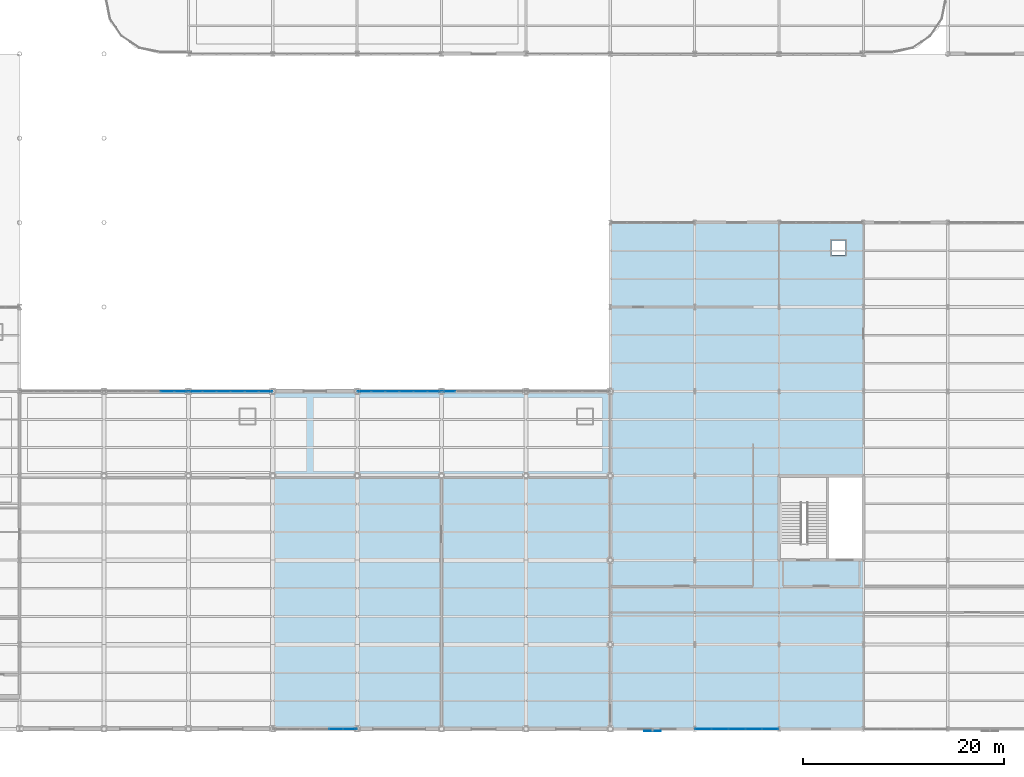
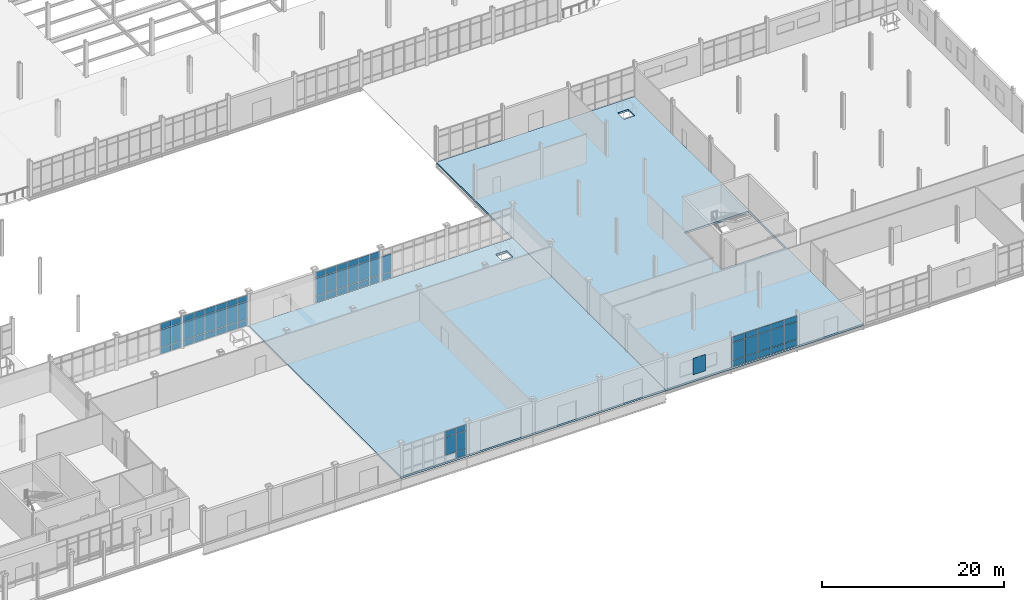
# One storey, part 112 of 145: 65 plates, 2 slabs, 6 elements without a shape of their own.
"""IFC4 building model written with IfcOpenShell, lengths in metres."""

from ifc_helpers import new_model, si_unit, direction, frame, origin, origin_2d, place, context, subcontext, project, spatial, polyline, rectangle, outline, extrude, material, layer, layer_set, type_object, element, aggregate, save


model = new_model("IFC4")

# Units and contexts
model_context = context("Model", 3, precision=1e-05, world=origin(), true_north=direction((0.0, 1.0)))
body_context = subcontext(model_context, "Body", "Model", "MODEL_VIEW")
ifc_project = project(units=[si_unit("LENGTHUNIT", "METRE"), si_unit("AREAUNIT", "SQUARE_METRE"), si_unit("VOLUMEUNIT", "CUBIC_METRE"), si_unit("PLANEANGLEUNIT", "RADIAN"), si_unit("MASSUNIT", "GRAM", prefix="KILO")], contexts=[model_context])

# Site, building, storey
site_placement = place(None, origin())
site = spatial("IfcSite", under=ifc_project, at=site_placement, CompositionType="ELEMENT")
building_placement = place(site_placement, origin())
building = spatial("IfcBuilding", under=site, at=building_placement, Name="Qalvenar Corner Mobility Hub", CompositionType="ELEMENT")
storey_placement = place(building_placement, origin())
storey = spatial("IfcBuildingStorey", under=building, at=storey_placement, Name="L00", CompositionType="ELEMENT", Elevation=0.0)

# Curtain wall, plates
ifc_material_1 = material(Name="Anodised Aluminium and Low-E Glazing", Category="aluminium")
ifc_layer_1 = layer(ifc_material_1, 0.179931640625)
ifc_layer_set_1 = layer_set([ifc_layer_1], Name="Anodised Aluminium and Low-E Glazing")
curtain_wall_type_1 = type_object("IfcCurtainWallType", Name="CW-CONC-84X48", PredefinedType="NOTDEFINED", material=ifc_layer_set_1)
curtain_wall_1_placement = place(storey_placement, origin())
curtain_wall_1 = element("IfcCurtainWall", 1, at=curtain_wall_1_placement, inside=storey, type_object=curtain_wall_type_1, Name="Glazed Curtain Wall CW-V1-L00-N1", PredefinedType="NOTDEFINED")
ifc_material_2 = material(Name="Solar-Control Low-E Double Glazing", Category="glass")
ifc_layer_2 = layer(ifc_material_2, 0.028076171875)
ifc_layer_set_2 = layer_set([ifc_layer_2], Name="Solar-Control Low-E Double Glazing")
plate_type_1 = type_object("IfcPlateType", Name="PLT-CWP-GLZ1", PredefinedType="CURTAIN_PANEL", material=ifc_layer_set_2)
plate_1_placement = place(storey_placement, frame((66.485107421875, 33.60009765625, 0.05517578125), z_axis=(0.0, 0.0, 1.0), x_axis=(-1.0, 0.0, 0.0)))
plate_1 = element("IfcPlate", 2, at=plate_1_placement, type_object=plate_type_1, Name="CW-01 panel 1.1", PredefinedType="CURTAIN_PANEL", context=body_context, shape_type="SweptSolid", body=[
    extrude(rectangle(XDim=1.31005859375, YDim=0.028076171875, at=origin_2d()), origin(), (0.0, 0.0, 1.0), 0.8173828125),
])
plate_2_placement = place(storey_placement, frame((66.485107421875, 33.60009765625, 0.927490234375), z_axis=(0.0, 0.0, 1.0), x_axis=(-1.0, 0.0, 0.0)))
plate_2 = element("IfcPlate", 3, at=plate_2_placement, type_object=plate_type_1, Name="CW-01 panel 1.2", PredefinedType="CURTAIN_PANEL", context=body_context, shape_type="SweptSolid", body=[
    extrude(rectangle(XDim=1.31005859375, YDim=0.028076171875, at=origin_2d()), origin(), (0.0, 0.0, 1.0), 2.39501953125),
])
plate_3_placement = place(storey_placement, frame((66.485107421875, 33.60009765625, 3.37744140625), z_axis=(0.0, 0.0, 1.0), x_axis=(-1.0, 0.0, 0.0)))
plate_3 = element("IfcPlate", 4, at=plate_3_placement, type_object=plate_type_1, Name="CW-01 panel 1.3", PredefinedType="CURTAIN_PANEL", context=body_context, shape_type="SweptSolid", body=[
    extrude(rectangle(XDim=1.31005859375, YDim=0.028076171875, at=origin_2d()), origin(), (0.0, 0.0, 1.0), 0.767578125),
])
plate_4_placement = place(storey_placement, frame((65.10009765625, 33.60009765625, 0.05517578125), z_axis=(0.0, 0.0, 1.0), x_axis=(-1.0, 0.0, 0.0)))
plate_4 = element("IfcPlate", 5, at=plate_4_placement, type_object=plate_type_1, Name="CW-01 panel 2.1", PredefinedType="CURTAIN_PANEL", context=body_context, shape_type="SweptSolid", body=[
    extrude(rectangle(XDim=1.340087890625, YDim=0.028076171875, at=origin_2d()), origin(), (0.0, 0.0, 1.0), 0.8173828125),
])
plate_5_placement = place(storey_placement, frame((65.10009765625, 33.60009765625, 0.927490234375), z_axis=(0.0, 0.0, 1.0), x_axis=(-1.0, 0.0, 0.0)))
plate_5 = element("IfcPlate", 6, at=plate_5_placement, type_object=plate_type_1, Name="CW-01 panel 2.2", PredefinedType="CURTAIN_PANEL", context=body_context, shape_type="SweptSolid", body=[
    extrude(rectangle(XDim=1.340087890625, YDim=0.028076171875, at=origin_2d()), origin(), (0.0, 0.0, 1.0), 2.39501953125),
])
plate_6_placement = place(storey_placement, frame((65.10009765625, 33.60009765625, 3.37744140625), z_axis=(0.0, 0.0, 1.0), x_axis=(-1.0, 0.0, 0.0)))
plate_6 = element("IfcPlate", 7, at=plate_6_placement, type_object=plate_type_1, Name="CW-01 panel 2.3", PredefinedType="CURTAIN_PANEL", context=body_context, shape_type="SweptSolid", body=[
    extrude(rectangle(XDim=1.340087890625, YDim=0.028076171875, at=origin_2d()), origin(), (0.0, 0.0, 1.0), 0.767578125),
])
aggregate(curtain_wall_1, [plate_1, plate_2, plate_3, plate_4, plate_5, plate_6])

curtain_wall_2_placement = place(storey_placement, origin())
curtain_wall_2 = element("IfcCurtainWall", 8, at=curtain_wall_2_placement, inside=storey, type_object=curtain_wall_type_1, Name="Glazed Curtain Wall CW-V1-L00-N2", PredefinedType="NOTDEFINED")
plate_7_placement = place(storey_placement, frame((74.885009765625, 33.60009765625, 0.05517578125), z_axis=(0.0, 0.0, 1.0), x_axis=(-1.0, 0.0, 0.0)))
plate_7 = element("IfcPlate", 9, at=plate_7_placement, type_object=plate_type_1, Name="CW-01 panel 1.1", PredefinedType="CURTAIN_PANEL", context=body_context, shape_type="SweptSolid", body=[
    extrude(rectangle(XDim=1.31005859375, YDim=0.028076171875, at=origin_2d()), origin(), (0.0, 0.0, 1.0), 0.8173828125),
])
plate_8_placement = place(storey_placement, frame((74.885009765625, 33.60009765625, 0.927490234375), z_axis=(0.0, 0.0, 1.0), x_axis=(-1.0, 0.0, 0.0)))
plate_8 = element("IfcPlate", 10, at=plate_8_placement, type_object=plate_type_1, Name="CW-01 panel 1.2", PredefinedType="CURTAIN_PANEL", context=body_context, shape_type="SweptSolid", body=[
    extrude(rectangle(XDim=1.31005859375, YDim=0.028076171875, at=origin_2d()), origin(), (0.0, 0.0, 1.0), 2.39501953125),
])
plate_9_placement = place(storey_placement, frame((74.885009765625, 33.60009765625, 3.37744140625), z_axis=(0.0, 0.0, 1.0), x_axis=(-1.0, 0.0, 0.0)))
plate_9 = element("IfcPlate", 11, at=plate_9_placement, type_object=plate_type_1, Name="CW-01 panel 1.3", PredefinedType="CURTAIN_PANEL", context=body_context, shape_type="SweptSolid", body=[
    extrude(rectangle(XDim=1.31005859375, YDim=0.028076171875, at=origin_2d()), origin(), (0.0, 0.0, 1.0), 0.767578125),
])
plate_10_placement = place(storey_placement, frame((73.5, 33.60009765625, 0.05517578125), z_axis=(0.0, 0.0, 1.0), x_axis=(-1.0, 0.0, 0.0)))
plate_10 = element("IfcPlate", 12, at=plate_10_placement, type_object=plate_type_1, Name="CW-01 panel 2.1", PredefinedType="CURTAIN_PANEL", context=body_context, shape_type="SweptSolid", body=[
    extrude(rectangle(XDim=1.340087890625, YDim=0.028076171875, at=origin_2d()), origin(), (0.0, 0.0, 1.0), 0.8173828125),
])
plate_11_placement = place(storey_placement, frame((73.5, 33.60009765625, 0.927490234375), z_axis=(0.0, 0.0, 1.0), x_axis=(-1.0, 0.0, 0.0)))
plate_11 = element("IfcPlate", 13, at=plate_11_placement, type_object=plate_type_1, Name="CW-01 panel 2.2", PredefinedType="CURTAIN_PANEL", context=body_context, shape_type="SweptSolid", body=[
    extrude(rectangle(XDim=1.340087890625, YDim=0.028076171875, at=origin_2d()), origin(), (0.0, 0.0, 1.0), 2.39501953125),
])
plate_12_placement = place(storey_placement, frame((73.5, 33.60009765625, 3.37744140625), z_axis=(0.0, 0.0, 1.0), x_axis=(-1.0, 0.0, 0.0)))
plate_12 = element("IfcPlate", 14, at=plate_12_placement, type_object=plate_type_1, Name="CW-01 panel 2.3", PredefinedType="CURTAIN_PANEL", context=body_context, shape_type="SweptSolid", body=[
    extrude(rectangle(XDim=1.340087890625, YDim=0.028076171875, at=origin_2d()), origin(), (0.0, 0.0, 1.0), 0.767578125),
])
plate_13_placement = place(storey_placement, frame((72.10009765625, 33.60009765625, 0.05517578125), z_axis=(0.0, 0.0, 1.0), x_axis=(-1.0, 0.0, 0.0)))
plate_13 = element("IfcPlate", 15, at=plate_13_placement, type_object=plate_type_1, Name="CW-01 panel 3.1", PredefinedType="CURTAIN_PANEL", context=body_context, shape_type="SweptSolid", body=[
    extrude(rectangle(XDim=1.340087890625, YDim=0.028076171875, at=origin_2d()), origin(), (0.0, 0.0, 1.0), 0.8173828125),
])
plate_14_placement = place(storey_placement, frame((72.10009765625, 33.60009765625, 0.927490234375), z_axis=(0.0, 0.0, 1.0), x_axis=(-1.0, 0.0, 0.0)))
plate_14 = element("IfcPlate", 16, at=plate_14_placement, type_object=plate_type_1, Name="CW-01 panel 3.2", PredefinedType="CURTAIN_PANEL", context=body_context, shape_type="SweptSolid", body=[
    extrude(rectangle(XDim=1.340087890625, YDim=0.028076171875, at=origin_2d()), origin(), (0.0, 0.0, 1.0), 2.39501953125),
])
plate_15_placement = place(storey_placement, frame((72.10009765625, 33.60009765625, 3.37744140625), z_axis=(0.0, 0.0, 1.0), x_axis=(-1.0, 0.0, 0.0)))
plate_15 = element("IfcPlate", 17, at=plate_15_placement, type_object=plate_type_1, Name="CW-01 panel 3.3", PredefinedType="CURTAIN_PANEL", context=body_context, shape_type="SweptSolid", body=[
    extrude(rectangle(XDim=1.340087890625, YDim=0.028076171875, at=origin_2d()), origin(), (0.0, 0.0, 1.0), 0.767578125),
])
plate_16_placement = place(storey_placement, frame((70.699951171875, 33.60009765625, 0.05517578125), z_axis=(0.0, 0.0, 1.0), x_axis=(-1.0, 0.0, 0.0)))
plate_16 = element("IfcPlate", 18, at=plate_16_placement, type_object=plate_type_1, Name="CW-01 panel 4.1", PredefinedType="CURTAIN_PANEL", context=body_context, shape_type="SweptSolid", body=[
    extrude(rectangle(XDim=1.340087890625, YDim=0.028076171875, at=origin_2d()), origin(), (0.0, 0.0, 1.0), 0.8173828125),
])
plate_17_placement = place(storey_placement, frame((70.699951171875, 33.60009765625, 0.927490234375), z_axis=(0.0, 0.0, 1.0), x_axis=(-1.0, 0.0, 0.0)))
plate_17 = element("IfcPlate", 19, at=plate_17_placement, type_object=plate_type_1, Name="CW-01 panel 4.2", PredefinedType="CURTAIN_PANEL", context=body_context, shape_type="SweptSolid", body=[
    extrude(rectangle(XDim=1.340087890625, YDim=0.028076171875, at=origin_2d()), origin(), (0.0, 0.0, 1.0), 2.39501953125),
])
plate_18_placement = place(storey_placement, frame((70.699951171875, 33.60009765625, 3.37744140625), z_axis=(0.0, 0.0, 1.0), x_axis=(-1.0, 0.0, 0.0)))
plate_18 = element("IfcPlate", 20, at=plate_18_placement, type_object=plate_type_1, Name="CW-01 panel 4.3", PredefinedType="CURTAIN_PANEL", context=body_context, shape_type="SweptSolid", body=[
    extrude(rectangle(XDim=1.340087890625, YDim=0.028076171875, at=origin_2d()), origin(), (0.0, 0.0, 1.0), 0.767578125),
])
plate_19_placement = place(storey_placement, frame((69.300048828125, 33.60009765625, 0.05517578125), z_axis=(0.0, 0.0, 1.0), x_axis=(-1.0, 0.0, 0.0)))
plate_19 = element("IfcPlate", 21, at=plate_19_placement, type_object=plate_type_1, Name="CW-01 panel 5.1", PredefinedType="CURTAIN_PANEL", context=body_context, shape_type="SweptSolid", body=[
    extrude(rectangle(XDim=1.340087890625, YDim=0.028076171875, at=origin_2d()), origin(), (0.0, 0.0, 1.0), 0.8173828125),
])
plate_20_placement = place(storey_placement, frame((69.300048828125, 33.60009765625, 0.927490234375), z_axis=(0.0, 0.0, 1.0), x_axis=(-1.0, 0.0, 0.0)))
plate_20 = element("IfcPlate", 22, at=plate_20_placement, type_object=plate_type_1, Name="CW-01 panel 5.2", PredefinedType="CURTAIN_PANEL", context=body_context, shape_type="SweptSolid", body=[
    extrude(rectangle(XDim=1.340087890625, YDim=0.028076171875, at=origin_2d()), origin(), (0.0, 0.0, 1.0), 2.39501953125),
])
plate_21_placement = place(storey_placement, frame((69.300048828125, 33.60009765625, 3.37744140625), z_axis=(0.0, 0.0, 1.0), x_axis=(-1.0, 0.0, 0.0)))
plate_21 = element("IfcPlate", 23, at=plate_21_placement, type_object=plate_type_1, Name="CW-01 panel 5.3", PredefinedType="CURTAIN_PANEL", context=body_context, shape_type="SweptSolid", body=[
    extrude(rectangle(XDim=1.340087890625, YDim=0.028076171875, at=origin_2d()), origin(), (0.0, 0.0, 1.0), 0.767578125),
])
plate_22_placement = place(storey_placement, frame((67.9150390625, 33.60009765625, 0.05517578125), z_axis=(0.0, 0.0, 1.0), x_axis=(-1.0, 0.0, 0.0)))
plate_22 = element("IfcPlate", 24, at=plate_22_placement, type_object=plate_type_1, Name="CW-01 panel 6.1", PredefinedType="CURTAIN_PANEL", context=body_context, shape_type="SweptSolid", body=[
    extrude(rectangle(XDim=1.31005859375, YDim=0.028076171875, at=origin_2d()), origin(), (0.0, 0.0, 1.0), 0.8173828125),
])
plate_23_placement = place(storey_placement, frame((67.9150390625, 33.60009765625, 0.927490234375), z_axis=(0.0, 0.0, 1.0), x_axis=(-1.0, 0.0, 0.0)))
plate_23 = element("IfcPlate", 25, at=plate_23_placement, type_object=plate_type_1, Name="CW-01 panel 6.2", PredefinedType="CURTAIN_PANEL", context=body_context, shape_type="SweptSolid", body=[
    extrude(rectangle(XDim=1.31005859375, YDim=0.028076171875, at=origin_2d()), origin(), (0.0, 0.0, 1.0), 2.39501953125),
])
plate_24_placement = place(storey_placement, frame((67.9150390625, 33.60009765625, 3.37744140625), z_axis=(0.0, 0.0, 1.0), x_axis=(-1.0, 0.0, 0.0)))
plate_24 = element("IfcPlate", 26, at=plate_24_placement, type_object=plate_type_1, Name="CW-01 panel 6.3", PredefinedType="CURTAIN_PANEL", context=body_context, shape_type="SweptSolid", body=[
    extrude(rectangle(XDim=1.31005859375, YDim=0.028076171875, at=origin_2d()), origin(), (0.0, 0.0, 1.0), 0.767578125),
])
aggregate(curtain_wall_2, [plate_7, plate_8, plate_9, plate_10, plate_11, plate_12, plate_13, plate_14, plate_15, plate_16, plate_17, plate_18, plate_19, plate_20, plate_21, plate_22, plate_23, plate_24])

curtain_wall_3_placement = place(storey_placement, origin())
curtain_wall_3 = element("IfcCurtainWall", 27, at=curtain_wall_3_placement, inside=storey, type_object=curtain_wall_type_1, Name="Glazed Curtain Wall CW-V1-L00-S3", PredefinedType="NOTDEFINED")
plate_25_placement = place(storey_placement, frame((81.89990234375, 0.0, 0.927490234375), z_axis=(0.0, 0.0, 1.0), x_axis=(1.0, 0.0, 0.0)))
plate_25 = element("IfcPlate", 28, at=plate_25_placement, type_object=plate_type_1, Name="CW-01 panel 5.2", PredefinedType="CURTAIN_PANEL", context=body_context, shape_type="SweptSolid", body=[
    extrude(rectangle(XDim=1.340087890625, YDim=0.028076171875, at=origin_2d()), origin(), (0.0, 0.0, 1.0), 2.39501953125),
])
plate_26_placement = place(storey_placement, frame((81.89990234375, 0.0, 3.37744140625), z_axis=(0.0, 0.0, 1.0), x_axis=(1.0, 0.0, 0.0)))
plate_26 = element("IfcPlate", 29, at=plate_26_placement, type_object=plate_type_1, Name="CW-01 panel 5.3", PredefinedType="CURTAIN_PANEL", context=body_context, shape_type="SweptSolid", body=[
    extrude(rectangle(XDim=1.340087890625, YDim=0.028076171875, at=origin_2d()), origin(), (0.0, 0.0, 1.0), 0.767578125),
])
plate_27_placement = place(storey_placement, frame((83.284912109375, 0.0, 0.05517578125), z_axis=(0.0, 0.0, 1.0), x_axis=(1.0, 0.0, 0.0)))
plate_27 = element("IfcPlate", 30, at=plate_27_placement, type_object=plate_type_1, Name="CW-01 panel 6.1", PredefinedType="CURTAIN_PANEL", context=body_context, shape_type="SweptSolid", body=[
    extrude(rectangle(XDim=1.31005859375, YDim=0.028076171875, at=origin_2d()), origin(), (0.0, 0.0, 1.0), 0.8173828125),
])
plate_28_placement = place(storey_placement, frame((83.284912109375, 0.0, 0.927490234375), z_axis=(0.0, 0.0, 1.0), x_axis=(1.0, 0.0, 0.0)))
plate_28 = element("IfcPlate", 31, at=plate_28_placement, type_object=plate_type_1, Name="CW-01 panel 6.2", PredefinedType="CURTAIN_PANEL", context=body_context, shape_type="SweptSolid", body=[
    extrude(rectangle(XDim=1.31005859375, YDim=0.028076171875, at=origin_2d()), origin(), (0.0, 0.0, 1.0), 2.39501953125),
])
plate_29_placement = place(storey_placement, frame((83.284912109375, 0.0, 3.37744140625), z_axis=(0.0, 0.0, 1.0), x_axis=(1.0, 0.0, 0.0)))
plate_29 = element("IfcPlate", 32, at=plate_29_placement, type_object=plate_type_1, Name="CW-01 panel 6.3", PredefinedType="CURTAIN_PANEL", context=body_context, shape_type="SweptSolid", body=[
    extrude(rectangle(XDim=1.31005859375, YDim=0.028076171875, at=origin_2d()), origin(), (0.0, 0.0, 1.0), 0.767578125),
])
aggregate(curtain_wall_3, [plate_25, plate_26, plate_27, plate_28, plate_29])

curtain_wall_4_placement = place(storey_placement, origin())
curtain_wall_4 = element("IfcCurtainWall", 33, at=curtain_wall_4_placement, inside=storey, type_object=curtain_wall_type_1, Name="Glazed Curtain Wall CW-V1-L00-N4", PredefinedType="NOTDEFINED")
plate_30_placement = place(storey_placement, frame((91.68505859375, 33.60009765625, 0.05517578125), z_axis=(0.0, 0.0, 1.0), x_axis=(-1.0, 0.0, 0.0)))
plate_30 = element("IfcPlate", 34, at=plate_30_placement, type_object=plate_type_1, Name="CW-01 panel 1.1", PredefinedType="CURTAIN_PANEL", context=body_context, shape_type="SweptSolid", body=[
    extrude(rectangle(XDim=1.31005859375, YDim=0.028076171875, at=origin_2d()), origin(), (0.0, 0.0, 1.0), 0.8173828125),
])
plate_31_placement = place(storey_placement, frame((91.68505859375, 33.60009765625, 0.927490234375), z_axis=(0.0, 0.0, 1.0), x_axis=(-1.0, 0.0, 0.0)))
plate_31 = element("IfcPlate", 35, at=plate_31_placement, type_object=plate_type_1, Name="CW-01 panel 1.2", PredefinedType="CURTAIN_PANEL", context=body_context, shape_type="SweptSolid", body=[
    extrude(rectangle(XDim=1.31005859375, YDim=0.028076171875, at=origin_2d()), origin(), (0.0, 0.0, 1.0), 2.39501953125),
])
plate_32_placement = place(storey_placement, frame((91.68505859375, 33.60009765625, 3.37744140625), z_axis=(0.0, 0.0, 1.0), x_axis=(-1.0, 0.0, 0.0)))
plate_32 = element("IfcPlate", 36, at=plate_32_placement, type_object=plate_type_1, Name="CW-01 panel 1.3", PredefinedType="CURTAIN_PANEL", context=body_context, shape_type="SweptSolid", body=[
    extrude(rectangle(XDim=1.31005859375, YDim=0.028076171875, at=origin_2d()), origin(), (0.0, 0.0, 1.0), 0.767578125),
])
plate_33_placement = place(storey_placement, frame((90.300048828125, 33.60009765625, 0.05517578125), z_axis=(0.0, 0.0, 1.0), x_axis=(-1.0, 0.0, 0.0)))
plate_33 = element("IfcPlate", 37, at=plate_33_placement, type_object=plate_type_1, Name="CW-01 panel 2.1", PredefinedType="CURTAIN_PANEL", context=body_context, shape_type="SweptSolid", body=[
    extrude(rectangle(XDim=1.340087890625, YDim=0.028076171875, at=origin_2d()), origin(), (0.0, 0.0, 1.0), 0.8173828125),
])
plate_34_placement = place(storey_placement, frame((90.300048828125, 33.60009765625, 0.927490234375), z_axis=(0.0, 0.0, 1.0), x_axis=(-1.0, 0.0, 0.0)))
plate_34 = element("IfcPlate", 38, at=plate_34_placement, type_object=plate_type_1, Name="CW-01 panel 2.2", PredefinedType="CURTAIN_PANEL", context=body_context, shape_type="SweptSolid", body=[
    extrude(rectangle(XDim=1.340087890625, YDim=0.028076171875, at=origin_2d()), origin(), (0.0, 0.0, 1.0), 2.39501953125),
])
plate_35_placement = place(storey_placement, frame((90.300048828125, 33.60009765625, 3.37744140625), z_axis=(0.0, 0.0, 1.0), x_axis=(-1.0, 0.0, 0.0)))
plate_35 = element("IfcPlate", 39, at=plate_35_placement, type_object=plate_type_1, Name="CW-01 panel 2.3", PredefinedType="CURTAIN_PANEL", context=body_context, shape_type="SweptSolid", body=[
    extrude(rectangle(XDim=1.340087890625, YDim=0.028076171875, at=origin_2d()), origin(), (0.0, 0.0, 1.0), 0.767578125),
])
plate_36_placement = place(storey_placement, frame((88.89990234375, 33.60009765625, 0.05517578125), z_axis=(0.0, 0.0, 1.0), x_axis=(-1.0, 0.0, 0.0)))
plate_36 = element("IfcPlate", 40, at=plate_36_placement, type_object=plate_type_1, Name="CW-01 panel 3.1", PredefinedType="CURTAIN_PANEL", context=body_context, shape_type="SweptSolid", body=[
    extrude(rectangle(XDim=1.340087890625, YDim=0.028076171875, at=origin_2d()), origin(), (0.0, 0.0, 1.0), 0.8173828125),
])
plate_37_placement = place(storey_placement, frame((88.89990234375, 33.60009765625, 0.927490234375), z_axis=(0.0, 0.0, 1.0), x_axis=(-1.0, 0.0, 0.0)))
plate_37 = element("IfcPlate", 41, at=plate_37_placement, type_object=plate_type_1, Name="CW-01 panel 3.2", PredefinedType="CURTAIN_PANEL", context=body_context, shape_type="SweptSolid", body=[
    extrude(rectangle(XDim=1.340087890625, YDim=0.028076171875, at=origin_2d()), origin(), (0.0, 0.0, 1.0), 2.39501953125),
])
plate_38_placement = place(storey_placement, frame((88.89990234375, 33.60009765625, 3.37744140625), z_axis=(0.0, 0.0, 1.0), x_axis=(-1.0, 0.0, 0.0)))
plate_38 = element("IfcPlate", 42, at=plate_38_placement, type_object=plate_type_1, Name="CW-01 panel 3.3", PredefinedType="CURTAIN_PANEL", context=body_context, shape_type="SweptSolid", body=[
    extrude(rectangle(XDim=1.340087890625, YDim=0.028076171875, at=origin_2d()), origin(), (0.0, 0.0, 1.0), 0.767578125),
])
plate_39_placement = place(storey_placement, frame((87.5, 33.60009765625, 0.05517578125), z_axis=(0.0, 0.0, 1.0), x_axis=(-1.0, 0.0, 0.0)))
plate_39 = element("IfcPlate", 43, at=plate_39_placement, type_object=plate_type_1, Name="CW-01 panel 4.1", PredefinedType="CURTAIN_PANEL", context=body_context, shape_type="SweptSolid", body=[
    extrude(rectangle(XDim=1.340087890625, YDim=0.028076171875, at=origin_2d()), origin(), (0.0, 0.0, 1.0), 0.8173828125),
])
plate_40_placement = place(storey_placement, frame((87.5, 33.60009765625, 0.927490234375), z_axis=(0.0, 0.0, 1.0), x_axis=(-1.0, 0.0, 0.0)))
plate_40 = element("IfcPlate", 44, at=plate_40_placement, type_object=plate_type_1, Name="CW-01 panel 4.2", PredefinedType="CURTAIN_PANEL", context=body_context, shape_type="SweptSolid", body=[
    extrude(rectangle(XDim=1.340087890625, YDim=0.028076171875, at=origin_2d()), origin(), (0.0, 0.0, 1.0), 2.39501953125),
])
plate_41_placement = place(storey_placement, frame((87.5, 33.60009765625, 3.37744140625), z_axis=(0.0, 0.0, 1.0), x_axis=(-1.0, 0.0, 0.0)))
plate_41 = element("IfcPlate", 45, at=plate_41_placement, type_object=plate_type_1, Name="CW-01 panel 4.3", PredefinedType="CURTAIN_PANEL", context=body_context, shape_type="SweptSolid", body=[
    extrude(rectangle(XDim=1.340087890625, YDim=0.028076171875, at=origin_2d()), origin(), (0.0, 0.0, 1.0), 0.767578125),
])
plate_42_placement = place(storey_placement, frame((86.10009765625, 33.60009765625, 0.05517578125), z_axis=(0.0, 0.0, 1.0), x_axis=(-1.0, 0.0, 0.0)))
plate_42 = element("IfcPlate", 46, at=plate_42_placement, type_object=plate_type_1, Name="CW-01 panel 5.1", PredefinedType="CURTAIN_PANEL", context=body_context, shape_type="SweptSolid", body=[
    extrude(rectangle(XDim=1.340087890625, YDim=0.028076171875, at=origin_2d()), origin(), (0.0, 0.0, 1.0), 0.8173828125),
])
plate_43_placement = place(storey_placement, frame((86.10009765625, 33.60009765625, 0.927490234375), z_axis=(0.0, 0.0, 1.0), x_axis=(-1.0, 0.0, 0.0)))
plate_43 = element("IfcPlate", 47, at=plate_43_placement, type_object=plate_type_1, Name="CW-01 panel 5.2", PredefinedType="CURTAIN_PANEL", context=body_context, shape_type="SweptSolid", body=[
    extrude(rectangle(XDim=1.340087890625, YDim=0.028076171875, at=origin_2d()), origin(), (0.0, 0.0, 1.0), 2.39501953125),
])
plate_44_placement = place(storey_placement, frame((86.10009765625, 33.60009765625, 3.37744140625), z_axis=(0.0, 0.0, 1.0), x_axis=(-1.0, 0.0, 0.0)))
plate_44 = element("IfcPlate", 48, at=plate_44_placement, type_object=plate_type_1, Name="CW-01 panel 5.3", PredefinedType="CURTAIN_PANEL", context=body_context, shape_type="SweptSolid", body=[
    extrude(rectangle(XDim=1.340087890625, YDim=0.028076171875, at=origin_2d()), origin(), (0.0, 0.0, 1.0), 0.767578125),
])
plate_45_placement = place(storey_placement, frame((84.715087890625, 33.60009765625, 0.05517578125), z_axis=(0.0, 0.0, 1.0), x_axis=(-1.0, 0.0, 0.0)))
plate_45 = element("IfcPlate", 49, at=plate_45_placement, type_object=plate_type_1, Name="CW-01 panel 6.1", PredefinedType="CURTAIN_PANEL", context=body_context, shape_type="SweptSolid", body=[
    extrude(rectangle(XDim=1.31005859375, YDim=0.028076171875, at=origin_2d()), origin(), (0.0, 0.0, 1.0), 0.8173828125),
])
plate_46_placement = place(storey_placement, frame((84.715087890625, 33.60009765625, 0.927490234375), z_axis=(0.0, 0.0, 1.0), x_axis=(-1.0, 0.0, 0.0)))
plate_46 = element("IfcPlate", 50, at=plate_46_placement, type_object=plate_type_1, Name="CW-01 panel 6.2", PredefinedType="CURTAIN_PANEL", context=body_context, shape_type="SweptSolid", body=[
    extrude(rectangle(XDim=1.31005859375, YDim=0.028076171875, at=origin_2d()), origin(), (0.0, 0.0, 1.0), 2.39501953125),
])
plate_47_placement = place(storey_placement, frame((84.715087890625, 33.60009765625, 3.37744140625), z_axis=(0.0, 0.0, 1.0), x_axis=(-1.0, 0.0, 0.0)))
plate_47 = element("IfcPlate", 51, at=plate_47_placement, type_object=plate_type_1, Name="CW-01 panel 6.3", PredefinedType="CURTAIN_PANEL", context=body_context, shape_type="SweptSolid", body=[
    extrude(rectangle(XDim=1.31005859375, YDim=0.028076171875, at=origin_2d()), origin(), (0.0, 0.0, 1.0), 0.767578125),
])
aggregate(curtain_wall_4, [plate_30, plate_31, plate_32, plate_33, plate_34, plate_35, plate_36, plate_37, plate_38, plate_39, plate_40, plate_41, plate_42, plate_43, plate_44, plate_45, plate_46, plate_47])

curtain_wall_5_placement = place(storey_placement, origin())
curtain_wall_5 = element("IfcCurtainWall", 52, at=curtain_wall_5_placement, inside=storey, type_object=curtain_wall_type_1, Name="Glazed Curtain Wall CW-V1-L00-N5", PredefinedType="NOTDEFINED")
plate_48_placement = place(storey_placement, frame((93.114990234375, 33.60009765625, 0.05517578125), z_axis=(0.0, 0.0, 1.0), x_axis=(-1.0, 0.0, 0.0)))
plate_48 = element("IfcPlate", 53, at=plate_48_placement, type_object=plate_type_1, Name="CW-01 panel 6.1", PredefinedType="CURTAIN_PANEL", context=body_context, shape_type="SweptSolid", body=[
    extrude(rectangle(XDim=1.31005859375, YDim=0.028076171875, at=origin_2d()), origin(), (0.0, 0.0, 1.0), 0.8173828125),
])
plate_49_placement = place(storey_placement, frame((93.114990234375, 33.60009765625, 0.927490234375), z_axis=(0.0, 0.0, 1.0), x_axis=(-1.0, 0.0, 0.0)))
plate_49 = element("IfcPlate", 54, at=plate_49_placement, type_object=plate_type_1, Name="CW-01 panel 6.2", PredefinedType="CURTAIN_PANEL", context=body_context, shape_type="SweptSolid", body=[
    extrude(rectangle(XDim=1.31005859375, YDim=0.028076171875, at=origin_2d()), origin(), (0.0, 0.0, 1.0), 2.39501953125),
])
aggregate(curtain_wall_5, [plate_48, plate_49])

ifc_layer_3 = layer(ifc_material_1, 0.14990234375)
ifc_layer_set_3 = layer_set([ifc_layer_3], Name="Anodised Aluminium and Low-E Glazing")
curtain_wall_type_2 = type_object("IfcCurtainWallType", Name="CW-WKS-84X44", PredefinedType="NOTDEFINED", material=ifc_layer_set_3)
curtain_wall_6_placement = place(storey_placement, origin())
curtain_wall_6 = element("IfcCurtainWall", 55, at=curtain_wall_6_placement, inside=storey, type_object=curtain_wall_type_2, Name="Glazed Curtain Wall CW-V6-L00-S1", PredefinedType="NOTDEFINED")
plate_50_placement = place(storey_placement, frame((118.455078125, 0.0, 0.05517578125), z_axis=(0.0, 0.0, 1.0), x_axis=(1.0, 0.0, 0.0)))
plate_50 = element("IfcPlate", 56, at=plate_50_placement, type_object=plate_type_1, Name="CW-09 panel 1.1", PredefinedType="CURTAIN_PANEL", context=body_context, shape_type="SweptSolid", body=[
    extrude(rectangle(XDim=1.590087890625, YDim=0.028076171875, at=origin_2d()), origin(), (0.0, 0.0, 1.0), 0.8173828125),
])
plate_51_placement = place(storey_placement, frame((118.455078125, 0.0, 0.927734375), z_axis=(0.0, 0.0, 1.0), x_axis=(1.0, 0.0, 0.0)))
plate_51 = element("IfcPlate", 57, at=plate_51_placement, type_object=plate_type_1, Name="CW-09 panel 1.2", PredefinedType="CURTAIN_PANEL", context=body_context, shape_type="SweptSolid", body=[
    extrude(rectangle(XDim=1.590087890625, YDim=0.028076171875, at=origin_2d()), origin(), (0.0, 0.0, 1.0), 2.324951171875),
])
plate_52_placement = place(storey_placement, frame((118.455078125, 0.0, 3.307373046875), z_axis=(0.0, 0.0, 1.0), x_axis=(1.0, 0.0, 0.0)))
plate_52 = element("IfcPlate", 58, at=plate_52_placement, type_object=plate_type_1, Name="CW-09 panel 1.3", PredefinedType="CURTAIN_PANEL", context=body_context, shape_type="SweptSolid", body=[
    extrude(rectangle(XDim=1.590087890625, YDim=0.028076171875, at=origin_2d()), origin(), (0.0, 0.0, 1.0), 0.767578125),
])
plate_53_placement = place(storey_placement, frame((120.1201171875, 0.0, 0.05517578125), z_axis=(0.0, 0.0, 1.0), x_axis=(1.0, 0.0, 0.0)))
plate_53 = element("IfcPlate", 59, at=plate_53_placement, type_object=plate_type_1, Name="CW-09 panel 2.1", PredefinedType="CURTAIN_PANEL", context=body_context, shape_type="SweptSolid", body=[
    extrude(rectangle(XDim=1.6201171875, YDim=0.028076171875, at=origin_2d()), origin(), (0.0, 0.0, 1.0), 0.8173828125),
])
plate_54_placement = place(storey_placement, frame((120.1201171875, 0.0, 0.927734375), z_axis=(0.0, 0.0, 1.0), x_axis=(1.0, 0.0, 0.0)))
plate_54 = element("IfcPlate", 60, at=plate_54_placement, type_object=plate_type_1, Name="CW-09 panel 2.2", PredefinedType="CURTAIN_PANEL", context=body_context, shape_type="SweptSolid", body=[
    extrude(rectangle(XDim=1.6201171875, YDim=0.028076171875, at=origin_2d()), origin(), (0.0, 0.0, 1.0), 2.324951171875),
])
plate_55_placement = place(storey_placement, frame((120.1201171875, 0.0, 3.307373046875), z_axis=(0.0, 0.0, 1.0), x_axis=(1.0, 0.0, 0.0)))
plate_55 = element("IfcPlate", 61, at=plate_55_placement, type_object=plate_type_1, Name="CW-09 panel 2.3", PredefinedType="CURTAIN_PANEL", context=body_context, shape_type="SweptSolid", body=[
    extrude(rectangle(XDim=1.6201171875, YDim=0.028076171875, at=origin_2d()), origin(), (0.0, 0.0, 1.0), 0.767578125),
])
plate_56_placement = place(storey_placement, frame((121.800048828125, 0.0, 0.05517578125), z_axis=(0.0, 0.0, 1.0), x_axis=(1.0, 0.0, 0.0)))
plate_56 = element("IfcPlate", 62, at=plate_56_placement, type_object=plate_type_1, Name="CW-09 panel 3.1", PredefinedType="CURTAIN_PANEL", context=body_context, shape_type="SweptSolid", body=[
    extrude(rectangle(XDim=1.6201171875, YDim=0.028076171875, at=origin_2d()), origin(), (0.0, 0.0, 1.0), 0.8173828125),
])
plate_57_placement = place(storey_placement, frame((121.800048828125, 0.0, 0.927734375), z_axis=(0.0, 0.0, 1.0), x_axis=(1.0, 0.0, 0.0)))
plate_57 = element("IfcPlate", 63, at=plate_57_placement, type_object=plate_type_1, Name="CW-09 panel 3.2", PredefinedType="CURTAIN_PANEL", context=body_context, shape_type="SweptSolid", body=[
    extrude(rectangle(XDim=1.6201171875, YDim=0.028076171875, at=origin_2d()), origin(), (0.0, 0.0, 1.0), 2.324951171875),
])
plate_58_placement = place(storey_placement, frame((121.800048828125, 0.0, 3.307373046875), z_axis=(0.0, 0.0, 1.0), x_axis=(1.0, 0.0, 0.0)))
plate_58 = element("IfcPlate", 64, at=plate_58_placement, type_object=plate_type_1, Name="CW-09 panel 3.3", PredefinedType="CURTAIN_PANEL", context=body_context, shape_type="SweptSolid", body=[
    extrude(rectangle(XDim=1.6201171875, YDim=0.028076171875, at=origin_2d()), origin(), (0.0, 0.0, 1.0), 0.767578125),
])
plate_59_placement = place(storey_placement, frame((123.47998046875, 0.0, 0.05517578125), z_axis=(0.0, 0.0, 1.0), x_axis=(1.0, 0.0, 0.0)))
plate_59 = element("IfcPlate", 65, at=plate_59_placement, type_object=plate_type_1, Name="CW-09 panel 4.1", PredefinedType="CURTAIN_PANEL", context=body_context, shape_type="SweptSolid", body=[
    extrude(rectangle(XDim=1.6201171875, YDim=0.028076171875, at=origin_2d()), origin(), (0.0, 0.0, 1.0), 0.8173828125),
])
plate_60_placement = place(storey_placement, frame((123.47998046875, 0.0, 0.927734375), z_axis=(0.0, 0.0, 1.0), x_axis=(1.0, 0.0, 0.0)))
plate_60 = element("IfcPlate", 66, at=plate_60_placement, type_object=plate_type_1, Name="CW-09 panel 4.2", PredefinedType="CURTAIN_PANEL", context=body_context, shape_type="SweptSolid", body=[
    extrude(rectangle(XDim=1.6201171875, YDim=0.028076171875, at=origin_2d()), origin(), (0.0, 0.0, 1.0), 2.324951171875),
])
plate_61_placement = place(storey_placement, frame((123.47998046875, 0.0, 3.307373046875), z_axis=(0.0, 0.0, 1.0), x_axis=(1.0, 0.0, 0.0)))
plate_61 = element("IfcPlate", 67, at=plate_61_placement, type_object=plate_type_1, Name="CW-09 panel 4.3", PredefinedType="CURTAIN_PANEL", context=body_context, shape_type="SweptSolid", body=[
    extrude(rectangle(XDim=1.6201171875, YDim=0.028076171875, at=origin_2d()), origin(), (0.0, 0.0, 1.0), 0.767578125),
])
plate_62_placement = place(storey_placement, frame((125.14501953125, 0.0, 0.05517578125), z_axis=(0.0, 0.0, 1.0), x_axis=(1.0, 0.0, 0.0)))
plate_62 = element("IfcPlate", 68, at=plate_62_placement, type_object=plate_type_1, Name="CW-09 panel 5.1", PredefinedType="CURTAIN_PANEL", context=body_context, shape_type="SweptSolid", body=[
    extrude(rectangle(XDim=1.590087890625, YDim=0.028076171875, at=origin_2d()), origin(), (0.0, 0.0, 1.0), 0.8173828125),
])
plate_63_placement = place(storey_placement, frame((125.14501953125, 0.0, 0.927734375), z_axis=(0.0, 0.0, 1.0), x_axis=(1.0, 0.0, 0.0)))
plate_63 = element("IfcPlate", 69, at=plate_63_placement, type_object=plate_type_1, Name="CW-09 panel 5.2", PredefinedType="CURTAIN_PANEL", context=body_context, shape_type="SweptSolid", body=[
    extrude(rectangle(XDim=1.590087890625, YDim=0.028076171875, at=origin_2d()), origin(), (0.0, 0.0, 1.0), 2.324951171875),
])
plate_64_placement = place(storey_placement, frame((125.14501953125, 0.0, 3.307373046875), z_axis=(0.0, 0.0, 1.0), x_axis=(1.0, 0.0, 0.0)))
plate_64 = element("IfcPlate", 70, at=plate_64_placement, type_object=plate_type_1, Name="CW-09 panel 5.3", PredefinedType="CURTAIN_PANEL", context=body_context, shape_type="SweptSolid", body=[
    extrude(rectangle(XDim=1.590087890625, YDim=0.028076171875, at=origin_2d()), origin(), (0.0, 0.0, 1.0), 0.767578125),
])
aggregate(curtain_wall_6, [plate_50, plate_51, plate_52, plate_53, plate_54, plate_55, plate_56, plate_57, plate_58, plate_59, plate_60, plate_61, plate_62, plate_63, plate_64])

# Plate
ifc_material_3 = material(Name="Perforated Ochre Sun-Louvre Aluminium", Category="aluminium")
ifc_layer_4 = layer(ifc_material_3, 0.031982421875)
ifc_layer_set_4 = layer_set([ifc_layer_4], Name="Perforated Ochre Sun-Louvre Aluminium")
plate_type_2 = type_object("IfcPlateType", Name="PLT-SCR-WKS", PredefinedType="SHEET", material=ifc_layer_set_4)
plate_65_placement = place(storey_placement, frame((113.39990234375, -0.219970703125, 0.89990234375), z_axis=(0.0, 0.0, 1.0), x_axis=(1.0, 0.0, 0.0)))
element("IfcPlate", 71, at=plate_65_placement, inside=storey, type_object=plate_type_2, Name="Workshop Sun Louvre SC3-L00-0", PredefinedType="SHEET", context=body_context, shape_type="SweptSolid", body=[
    extrude(rectangle(XDim=1.60009765625, YDim=0.031982421875, at=origin_2d()), origin(), (0.0, 0.0, 1.0), 2.199951171875),
])

# Slabs
ifc_material_4 = material(Name="Concrete C35/45", Category="concrete")
ifc_layer_5 = layer(ifc_material_4, 0.25)
ifc_layer_set_5 = layer_set([ifc_layer_5], Name="Concrete C35/45")
slab_type = type_object("IfcSlabType", Name="SLB-BUS250", PredefinedType="FLOOR", material=ifc_layer_set_5)
slab_1_placement = place(storey_placement, frame((0.0, 0.0, -0.25)))
element("IfcSlab", 72, at=slab_1_placement, inside=storey, type_object=slab_type, Name="Composite Slab V1-B-L00", PredefinedType="FLOOR", context=body_context, shape_type="SweptSolid", body=[
    extrude(outline(polyline([(75.60009765625, 0.0), (109.199951171875, 0.0), (109.199951171875, 33.60009765625), (75.60009765625, 33.60009765625), (75.60009765625, 0.0)]), holes=[polyline([(106.0, 30.39990234375), (107.39990234375, 30.39990234375), (107.39990234375, 31.800048828125), (106.0, 31.800048828125), (106.0, 30.39990234375)])]), origin(), (0.0, 0.0, 1.0), 0.25),
])
slab_2_placement = place(storey_placement, frame((0.0, 0.0, -0.25)))
element("IfcSlab", 73, at=slab_2_placement, inside=storey, type_object=slab_type, Name="Composite Slab V6-A-L00", PredefinedType="FLOOR", context=body_context, shape_type="SweptSolid", body=[
    extrude(outline(polyline([(109.199951171875, 0.0), (134.39990234375, 0.0), (134.39990234375, 50.39990234375), (109.199951171875, 50.39990234375), (109.199951171875, 0.0)]), holes=[polyline([(126.1298828125, 16.929931640625), (134.27001953125, 16.929931640625), (134.27001953125, 25.070068359375), (126.1298828125, 25.070068359375), (126.1298828125, 16.929931640625)]), polyline([(131.199951171875, 47.199951171875), (132.60009765625, 47.199951171875), (132.60009765625, 48.60009765625), (131.199951171875, 48.60009765625), (131.199951171875, 47.199951171875)])]), origin(), (0.0, 0.0, 1.0), 0.25),
])

save(model, "model.ifc")
